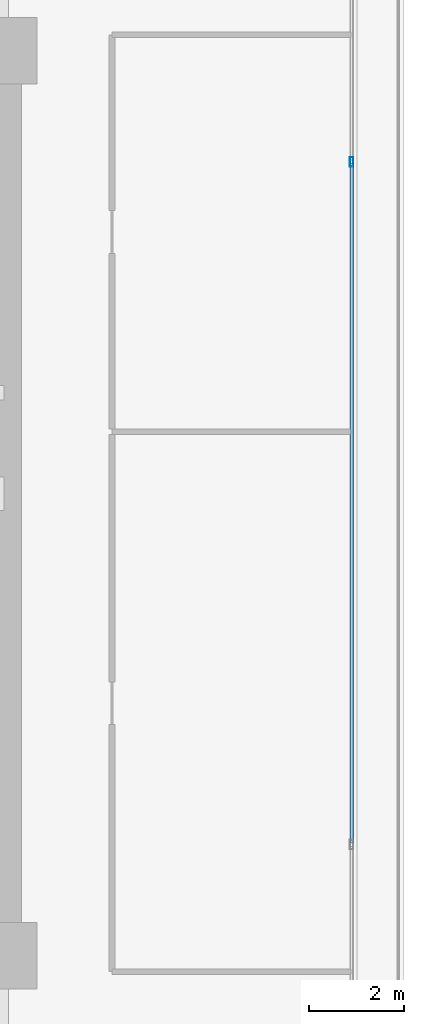
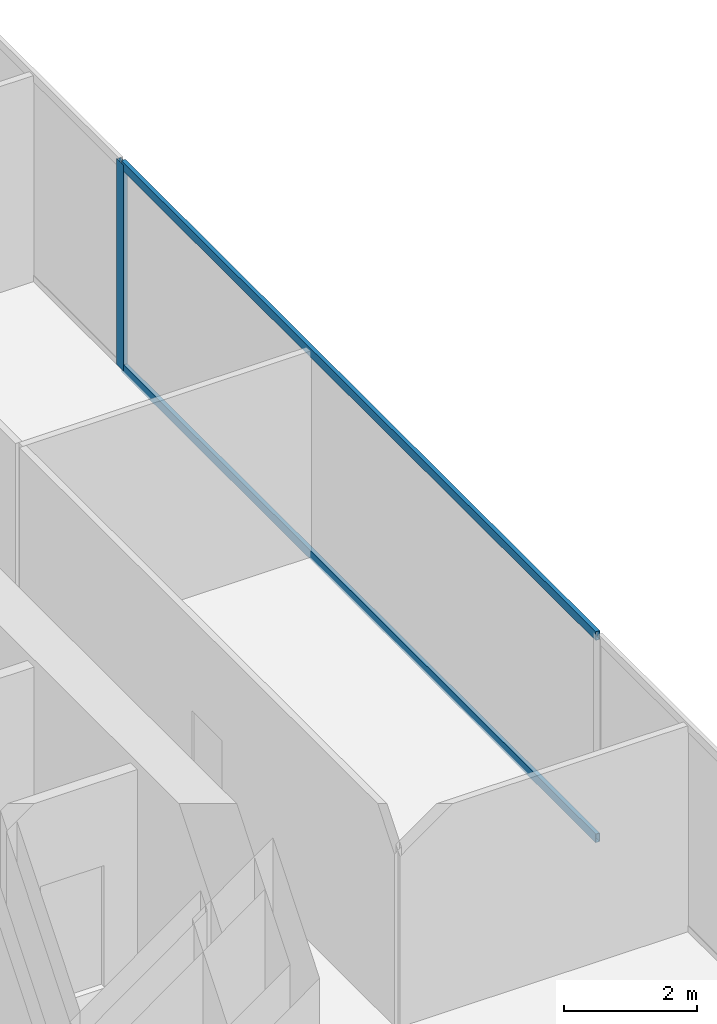
# One storey, part 25 of 36: 3 members, 1 element without a shape of its own.
"""IFC4 building model written with IfcOpenShell, lengths in metres."""

from ifc_helpers import new_model, si_unit, direction, frame, origin, origin_2d, place, context, subcontext, project, spatial, hollow_rectangle, extrude, source, transform, mapped, material, layer, layer_set, material_profile, profile_set, type_object, type_shapes, element, aggregate, save


model = new_model("IFC4")

# Units and contexts
model_context = context("Model", 3, precision=1e-05, world=origin(), true_north=direction((0.0, 1.0)))
body_context = subcontext(model_context, "Body", "Model", "MODEL_VIEW")
ifc_project = project(units=[si_unit("LENGTHUNIT", "METRE"), si_unit("AREAUNIT", "SQUARE_METRE"), si_unit("VOLUMEUNIT", "CUBIC_METRE"), si_unit("PLANEANGLEUNIT", "RADIAN"), si_unit("MASSUNIT", "GRAM", prefix="KILO")], contexts=[model_context])

# Site, building, storey
site_placement = place(None, origin())
site = spatial("IfcSite", under=ifc_project, at=site_placement, CompositionType="ELEMENT")
building_placement = place(site_placement, origin())
building = spatial("IfcBuilding", under=site, at=building_placement, Name="Haelvirn Gate Laboratories", CompositionType="ELEMENT")
storey_placement = place(building_placement, frame((0.0, 0.0, 25.199951171875)))
storey = spatial("IfcBuildingStorey", under=building, at=storey_placement, Name="L06", CompositionType="ELEMENT", Elevation=25.199951171875)

# Curtain wall, members
ifc_material_1 = material(Name="Anodised bronze unitised aluminium & triple low-E glass", Category="aluminium")
ifc_layer = layer(ifc_material_1, 0.18408203125, Name="CW-SYS-2")
ifc_layer_set = layer_set([ifc_layer], Name="Anodised bronze unitised aluminium & triple low-E glass")
curtain_wall_type = type_object("IfcCurtainWallType", Name="CW-SYS-2", PredefinedType="NOTDEFINED", material=ifc_layer_set)
curtain_wall_placement = place(storey_placement, origin())
curtain_wall = element("IfcCurtainWall", 1, at=curtain_wall_placement, inside=storey, type_object=curtain_wall_type, Name="L06 Unitised Curtain Wall CW-L06-P0-E07", PredefinedType="NOTDEFINED")
ifc_material_2 = material(Name="Extruded aluminium 6063-T6 (anodised bronze)", Category="aluminium")
ifc_material_profile_1 = material_profile(ifc_material_2, hollow_rectangle(XDim=0.074951171875, YDim=0.199951171875, WallThickness=0.0048828125, at=origin_2d()), Name="CWM-200x75x5")
ifc_profile_set_1 = profile_set([ifc_material_profile_1], Name="Extruded aluminium 6063-T6 (anodised bronze)")
member_type_1 = type_object("IfcMemberType", Name="CWM-T200", PredefinedType="MULLION", material=ifc_profile_set_1)
shared_shape_1 = source(origin(), body_context, "Body", "SweptSolid", [
    extrude(hollow_rectangle(XDim=0.074951171875, YDim=0.199951171875, WallThickness=0.0048828125, at=origin_2d()), origin(), (0.0, 0.0, 1.0), 3.780029296875),
])
type_shapes(member_type_1, [shared_shape_1])
member_1_placement = place(storey_placement, frame((74.699951171875, 31.466552734375, 0.0), z_axis=(0.0, 0.0, 1.0), x_axis=(-1.0, 0.0, 0.0)))
member_1 = element("IfcMember", 2, at=member_1_placement, type_object=member_type_1, Name="CW2 mullion 3", PredefinedType="MULLION", context=body_context, shape_type="MappedRepresentation", body=[
    mapped(shared_shape_1, transform((0.0, 0.0, 0.0), scale=1.0)),
])
ifc_material_profile_2 = material_profile(ifc_material_2, hollow_rectangle(XDim=0.070068359375, YDim=0.159912109375, WallThickness=0.0048828125, at=origin_2d()), Name="CWT-160x70x5")
ifc_profile_set_2 = profile_set([ifc_material_profile_2], Name="Extruded aluminium 6063-T6 (anodised bronze)")
member_type_2 = type_object("IfcMemberType", Name="CWT-T160", PredefinedType="USERDEFINED", material=ifc_profile_set_2)
shared_shape_2 = source(origin(), body_context, "Body", "SweptSolid", [
    extrude(hollow_rectangle(XDim=0.070068359375, YDim=0.159912109375, WallThickness=0.0048828125, at=origin_2d()), origin(), (0.0, 0.0, 1.0), 14.25830078125),
])
type_shapes(member_type_2, [shared_shape_2])
member_2_placement = place(storey_placement, frame((74.699951171875, 17.1708984375, 0.03515625), z_axis=(0.0, 1.0, 0.0), x_axis=(-1.0, 0.0, 0.0)))
member_2 = element("IfcMember", 3, at=member_2_placement, type_object=member_type_2, Name="CW2 transom 2.1", ObjectType="TRANSOM", PredefinedType="USERDEFINED", context=body_context, shape_type="MappedRepresentation", body=[
    mapped(shared_shape_2, transform((0.0, 0.0, 0.0), scale=1.0)),
])
member_3_placement = place(storey_placement, frame((74.699951171875, 17.1708984375, 3.7451171875), z_axis=(0.0, 1.0, 0.0), x_axis=(-1.0, 0.0, 0.0)))
member_3 = element("IfcMember", 4, at=member_3_placement, type_object=member_type_2, Name="CW2 transom 2.2", ObjectType="TRANSOM", PredefinedType="USERDEFINED", context=body_context, shape_type="MappedRepresentation", body=[
    mapped(shared_shape_2, transform((0.0, 0.0, 0.0), scale=1.0)),
])
aggregate(curtain_wall, [member_1, member_2, member_3])

save(model, "model.ifc")
